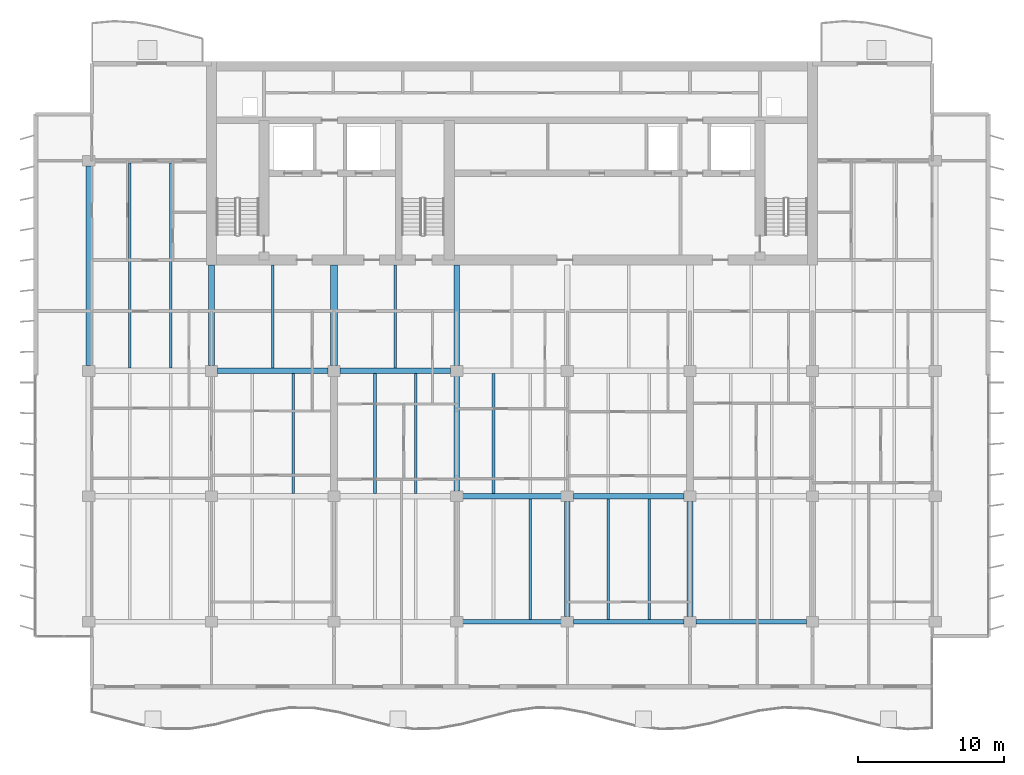
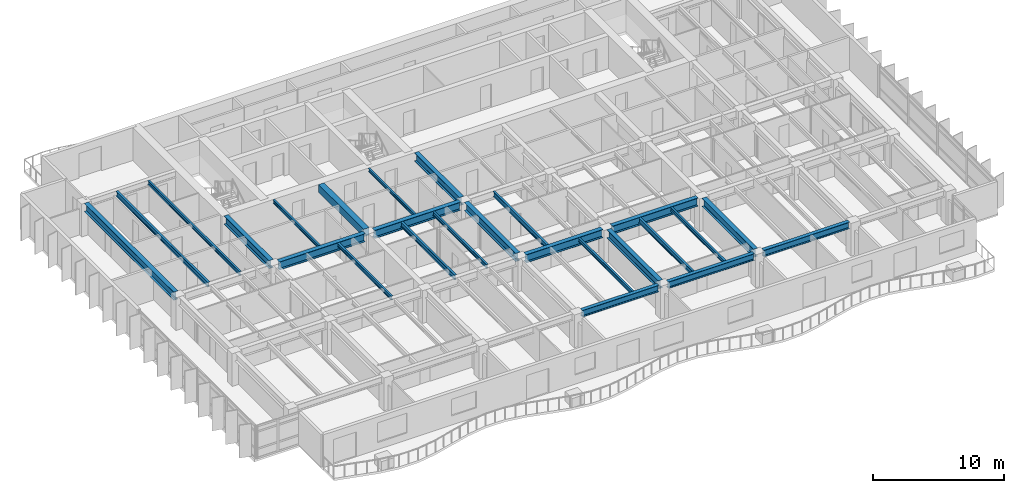
# One storey, part 3 of 19: 25 beams.
"""IFC4 building model written with IfcOpenShell, lengths in metres."""

from ifc_helpers import new_model, si_unit, direction, frame, origin, origin_2d, place, context, subcontext, project, spatial, rectangle, i_section, extrude, material, material_profile, profile_set, type_object, element, save


model = new_model("IFC4")

# Units and contexts
model_context = context("Model", 3, precision=1e-05, world=origin(), true_north=direction((0.0, 1.0)))
body_context = subcontext(model_context, "Body", "Model", "MODEL_VIEW")
ifc_project = project(units=[si_unit("LENGTHUNIT", "METRE"), si_unit("AREAUNIT", "SQUARE_METRE"), si_unit("VOLUMEUNIT", "CUBIC_METRE"), si_unit("PLANEANGLEUNIT", "RADIAN"), si_unit("MASSUNIT", "GRAM", prefix="KILO")], contexts=[model_context])

# Site, building, storey
site_placement = place(None, origin())
site = spatial("IfcSite", under=ifc_project, at=site_placement, CompositionType="ELEMENT")
building_placement = place(site_placement, origin())
building = spatial("IfcBuilding", under=site, at=building_placement, Name="Caelmar Bay Residences", CompositionType="ELEMENT")
storey_placement = place(building_placement, frame((0.0, 0.0, 188.39990234375)))
storey = spatial("IfcBuildingStorey", under=building, at=storey_placement, Name="L52", CompositionType="ELEMENT", Elevation=188.39990234375)

# Beams
ifc_material_1 = material(Name="Steel ASTM A992 Grade 50", Category="steel")
ifc_material_profile_1 = material_profile(ifc_material_1, i_section(OverallWidth=0.381103515625, OverallDepth=0.77197265625, WebThickness=0.0166015625, FlangeThickness=0.027099609375, FilletRadius=0.0166015625, at=origin_2d()), Name="W30X173")
ifc_profile_set_1 = profile_set([ifc_material_profile_1], Name="Steel ASTM A992 Grade 50")
beam_type_1 = type_object("IfcBeamType", Name="BM-GRD-W30X173", PredefinedType="BEAM", material=ifc_profile_set_1)
beam_1_placement = place(storey_placement, frame((35.514892578125, 20.800048828125, 2.6640625), z_axis=(1.0, 0.0, 0.0), x_axis=(0.0, 1.0, 0.0)))
element("IfcBeam", 1, at=beam_1_placement, inside=storey, type_object=beam_type_1, Name="L52 East-West Girder Y=20.80 (35.1-42.7)", PredefinedType="BEAM", context=body_context, shape_type="SweptSolid", body=[
    extrude(i_section(OverallWidth=0.381103515625, OverallDepth=0.77197265625, WebThickness=0.0166015625, FlangeThickness=0.027099609375, FilletRadius=0.0166015625, at=origin_2d()), origin(), (0.0, 0.0, 1.0), 6.77001953125),
])
beam_2_placement = place(storey_placement, frame((43.114990234375, 20.800048828125, 2.6640625), z_axis=(1.0, 0.0, 0.0), x_axis=(0.0, 1.0, 0.0)))
element("IfcBeam", 2, at=beam_2_placement, inside=storey, type_object=beam_type_1, Name="L52 East-West Girder Y=20.80 (42.7-51.1)", PredefinedType="BEAM", context=body_context, shape_type="SweptSolid", body=[
    extrude(i_section(OverallWidth=0.381103515625, OverallDepth=0.77197265625, WebThickness=0.0166015625, FlangeThickness=0.027099609375, FilletRadius=0.0166015625, at=origin_2d()), origin(), (0.0, 0.0, 1.0), 7.570068359375),
])
beam_3_placement = place(storey_placement, frame((18.715087890625, 29.39990234375, 2.6640625), z_axis=(1.0, 0.0, 0.0), x_axis=(0.0, 1.0, 0.0)))
element("IfcBeam", 3, at=beam_3_placement, inside=storey, type_object=beam_type_1, Name="L52 East-West Girder Y=29.40 (18.3-26.7)", PredefinedType="BEAM", context=body_context, shape_type="SweptSolid", body=[
    extrude(i_section(OverallWidth=0.381103515625, OverallDepth=0.77197265625, WebThickness=0.0166015625, FlangeThickness=0.027099609375, FilletRadius=0.0166015625, at=origin_2d()), origin(), (0.0, 0.0, 1.0), 7.56982421875),
])
beam_4_placement = place(storey_placement, frame((27.114990234375, 29.39990234375, 2.6640625), z_axis=(1.0, 0.0, 0.0), x_axis=(0.0, 1.0, 0.0)))
element("IfcBeam", 4, at=beam_4_placement, inside=storey, type_object=beam_type_1, Name="L52 East-West Girder Y=29.40 (26.7-35.1)", PredefinedType="BEAM", context=body_context, shape_type="SweptSolid", body=[
    extrude(i_section(OverallWidth=0.381103515625, OverallDepth=0.77197265625, WebThickness=0.0166015625, FlangeThickness=0.027099609375, FilletRadius=0.0166015625, at=origin_2d()), origin(), (0.0, 0.0, 1.0), 7.570068359375),
])
beam_5_placement = place(storey_placement, frame((9.89990234375, 29.764892578125, 2.6640625), z_axis=(0.0, 1.0, 0.0), x_axis=(-1.0, 0.0, 0.0)))
element("IfcBeam", 5, at=beam_5_placement, inside=storey, type_object=beam_type_1, Name="L52 North-South Girder X=9.90 (29.4-43.8)", PredefinedType="BEAM", context=body_context, shape_type="SweptSolid", body=[
    extrude(i_section(OverallWidth=0.381103515625, OverallDepth=0.77197265625, WebThickness=0.0166015625, FlangeThickness=0.027099609375, FilletRadius=0.0166015625, at=origin_2d()), origin(), (0.0, 0.0, 1.0), 13.670166015625),
])
for number, where, z_axis, x_axis, name in (
    (6, (18.300048828125, 29.764892578125, 2.6640625), (0.0, 1.0, 0.0), (-1.0, 0.0, 0.0), "L52 Core Tie Girder X=18.30"),
    (7, (35.10009765625, 29.764892578125, 2.6640625), (0.0, 1.0, 0.0), (-1.0, 0.0, 0.0), "L52 Core Tie Girder X=35.10"),
):
    element("IfcBeam", number, at=place(storey_placement, frame(where, z_axis=z_axis, x_axis=x_axis)), inside=storey, type_object=beam_type_1, Name=name, PredefinedType="BEAM", context=body_context, shape_type="SweptSolid", body=[
        extrude(i_section(OverallWidth=0.381103515625, OverallDepth=0.77197265625, WebThickness=0.0166015625, FlangeThickness=0.027099609375, FilletRadius=0.0166015625, at=origin_2d()), origin(), (0.0, 0.0, 1.0), 6.885009765625),
    ])
beam_6_placement = place(storey_placement, frame((35.10009765625, 21.1650390625, 2.6640625), z_axis=(0.0, 1.0, 0.0), x_axis=(-1.0, 0.0, 0.0)))
element("IfcBeam", 8, at=beam_6_placement, inside=storey, type_object=beam_type_1, Name="L52 North-South Girder X=35.10 (20.8-29.4)", PredefinedType="BEAM", context=body_context, shape_type="SweptSolid", body=[
    extrude(i_section(OverallWidth=0.381103515625, OverallDepth=0.77197265625, WebThickness=0.0166015625, FlangeThickness=0.027099609375, FilletRadius=0.0166015625, at=origin_2d()), origin(), (0.0, 0.0, 1.0), 7.869873046875),
])
for number, where, z_axis, x_axis, name in (
    (9, (42.699951171875, 12.56494140625, 2.6640625), (0.0, 1.0, 0.0), (-1.0, 0.0, 0.0), "L52 North-South Girder X=42.70 (12.2-20.8)"),
    (10, (51.10009765625, 12.56494140625, 2.6640625), (0.0, 1.0, 0.0), (-1.0, 0.0, 0.0), "L52 North-South Girder X=51.10 (12.2-20.8)"),
):
    element("IfcBeam", number, at=place(storey_placement, frame(where, z_axis=z_axis, x_axis=x_axis)), inside=storey, type_object=beam_type_1, Name=name, PredefinedType="BEAM", context=body_context, shape_type="SweptSolid", body=[
        extrude(i_section(OverallWidth=0.381103515625, OverallDepth=0.77197265625, WebThickness=0.0166015625, FlangeThickness=0.027099609375, FilletRadius=0.0166015625, at=origin_2d()), origin(), (0.0, 0.0, 1.0), 7.8701171875),
    ])
ifc_material_profile_2 = material_profile(ifc_material_1, i_section(OverallWidth=0.1650390625, OverallDepth=0.31005859375, WebThickness=0.005859375, FlangeThickness=0.009765625, FilletRadius=0.007568359375, at=origin_2d()), Name="W12X26")
ifc_profile_set_2 = profile_set([ifc_material_profile_2], Name="Steel ASTM A992 Grade 50")
beam_type_2 = type_object("IfcBeamType", Name="BM-JST-W12X26", PredefinedType="JOIST", material=ifc_profile_set_2)
for number, where, z_axis, x_axis, name in (
    (11, (22.5, 29.590576171875, 2.89501953125), (0.0, 1.0, 0.0), (-1.0, 0.0, 0.0), "L52 Core-Band Composite Joist 29"),
    (12, (30.89990234375, 29.590576171875, 2.89501953125), (0.0, 1.0, 0.0), (-1.0, 0.0, 0.0), "L52 Core-Band Composite Joist 30"),
):
    element("IfcBeam", number, at=place(storey_placement, frame(where, z_axis=z_axis, x_axis=x_axis)), inside=storey, type_object=beam_type_2, Name=name, PredefinedType="JOIST", context=body_context, shape_type="SweptSolid", body=[
        extrude(i_section(OverallWidth=0.1650390625, OverallDepth=0.31005859375, WebThickness=0.005859375, FlangeThickness=0.009765625, FilletRadius=0.007568359375, at=origin_2d()), origin(), (0.0, 0.0, 1.0), 7.059326171875),
    ])
ifc_material_profile_3 = material_profile(ifc_material_1, i_section(OverallWidth=0.1708984375, OverallDepth=0.35595703125, WebThickness=0.007080078125, FlangeThickness=0.01171875, FilletRadius=0.007568359375, at=origin_2d()), Name="W14X34")
ifc_profile_set_3 = profile_set([ifc_material_profile_3], Name="Steel ASTM A992 Grade 50")
beam_type_3 = type_object("IfcBeamType", Name="BM-JST-W14X34", PredefinedType="JOIST", material=ifc_profile_set_3)
for number, where, z_axis, x_axis, name in (
    (13, (40.166748046875, 12.362548828125, 2.8720703125), (0.0, 1.0, 0.0), (-1.0, 0.0, 0.0), "L52 Composite Floor Joist 8"),
    (14, (48.300048828125, 12.362548828125, 2.8720703125), (0.0, 1.0, 0.0), (-1.0, 0.0, 0.0), "L52 Composite Floor Joist 10"),
):
    element("IfcBeam", number, at=place(storey_placement, frame(where, z_axis=z_axis, x_axis=x_axis)), inside=storey, type_object=beam_type_3, Name=name, PredefinedType="JOIST", context=body_context, shape_type="SweptSolid", body=[
        extrude(i_section(OverallWidth=0.1708984375, OverallDepth=0.35595703125, WebThickness=0.007080078125, FlangeThickness=0.01171875, FilletRadius=0.007568359375, at=origin_2d()), origin(), (0.0, 0.0, 1.0), 8.2470703125),
    ])
for number, where, z_axis, x_axis, name in (
    (15, (23.89990234375, 20.990478515625, 2.8720703125), (0.0, 1.0, 0.0), (-1.0, 0.0, 0.0), "L52 Composite Floor Joist 18"),
    (16, (32.300048828125, 20.990478515625, 2.8720703125), (0.0, 1.0, 0.0), (-1.0, 0.0, 0.0), "L52 Composite Floor Joist 20"),
):
    element("IfcBeam", number, at=place(storey_placement, frame(where, z_axis=z_axis, x_axis=x_axis)), inside=storey, type_object=beam_type_3, Name=name, PredefinedType="JOIST", context=body_context, shape_type="SweptSolid", body=[
        extrude(i_section(OverallWidth=0.1708984375, OverallDepth=0.35595703125, WebThickness=0.007080078125, FlangeThickness=0.01171875, FilletRadius=0.007568359375, at=origin_2d()), origin(), (0.0, 0.0, 1.0), 8.218994140625),
    ])
beam_7_placement = place(storey_placement, frame((15.5, 29.590576171875, 2.8720703125), z_axis=(0.0, 1.0, 0.0), x_axis=(-1.0, 0.0, 0.0)))
element("IfcBeam", 17, at=beam_7_placement, inside=storey, type_object=beam_type_3, Name="L52 Composite Floor Joist 35", PredefinedType="JOIST", context=body_context, shape_type="SweptSolid", body=[
    extrude(i_section(OverallWidth=0.1708984375, OverallDepth=0.35595703125, WebThickness=0.007080078125, FlangeThickness=0.01171875, FilletRadius=0.007568359375, at=origin_2d()), origin(), (0.0, 0.0, 1.0), 14.046875),
])
ifc_material_profile_4 = material_profile(ifc_material_1, i_section(OverallWidth=0.19091796875, OverallDepth=0.45703125, WebThickness=0.009033203125, FlangeThickness=0.014404296875, FilletRadius=0.01025390625, at=origin_2d()), Name="W18X50")
ifc_profile_set_4 = profile_set([ifc_material_profile_4], Name="Steel ASTM A992 Grade 50")
beam_type_4 = type_object("IfcBeamType", Name="BM-JST-W18X50", PredefinedType="JOIST", material=ifc_profile_set_4)
beam_8_placement = place(storey_placement, frame((45.5, 12.362548828125, 2.821533203125), z_axis=(0.0, 1.0, 0.0), x_axis=(-1.0, 0.0, 0.0)))
element("IfcBeam", 18, at=beam_8_placement, inside=storey, type_object=beam_type_4, Name="L52 Composite Floor Joist 9", PredefinedType="JOIST", context=body_context, shape_type="SweptSolid", body=[
    extrude(i_section(OverallWidth=0.19091796875, OverallDepth=0.45703125, WebThickness=0.009033203125, FlangeThickness=0.014404296875, FilletRadius=0.01025390625, at=origin_2d()), origin(), (0.0, 0.0, 1.0), 8.2470703125),
])
for number, where, z_axis, x_axis, name in (
    (19, (29.5, 20.990478515625, 2.821533203125), (0.0, 1.0, 0.0), (-1.0, 0.0, 0.0), "L52 Composite Floor Joist 19"),
    (20, (37.63330078125, 20.990478515625, 2.821533203125), (0.0, 1.0, 0.0), (-1.0, 0.0, 0.0), "L52 Composite Floor Joist 21"),
):
    element("IfcBeam", number, at=place(storey_placement, frame(where, z_axis=z_axis, x_axis=x_axis)), inside=storey, type_object=beam_type_4, Name=name, PredefinedType="JOIST", context=body_context, shape_type="SweptSolid", body=[
        extrude(i_section(OverallWidth=0.19091796875, OverallDepth=0.45703125, WebThickness=0.009033203125, FlangeThickness=0.014404296875, FilletRadius=0.01025390625, at=origin_2d()), origin(), (0.0, 0.0, 1.0), 8.218994140625),
    ])
beam_9_placement = place(storey_placement, frame((12.699951171875, 29.590576171875, 2.821533203125), z_axis=(0.0, 1.0, 0.0), x_axis=(-1.0, 0.0, 0.0)))
element("IfcBeam", 21, at=beam_9_placement, inside=storey, type_object=beam_type_4, Name="L52 Composite Floor Joist 34", PredefinedType="JOIST", context=body_context, shape_type="SweptSolid", body=[
    extrude(i_section(OverallWidth=0.19091796875, OverallDepth=0.45703125, WebThickness=0.009033203125, FlangeThickness=0.014404296875, FilletRadius=0.01025390625, at=origin_2d()), origin(), (0.0, 0.0, 1.0), 14.046875),
])
ifc_material_2 = material(Name="Concrete f'c 55 MPa (8,000 psi)", Category="concrete")
ifc_material_profile_5 = material_profile(ifc_material_2, rectangle(XDim=0.5, YDim=0.699951171875, at=origin_2d()), Name="RC-BM-500X700")
ifc_profile_set_5 = profile_set([ifc_material_profile_5], Name="Concrete f'c 55 MPa (8,000 psi)")
beam_type_5 = type_object("IfcBeamType", Name="BM-RC-500X700", PredefinedType="LINTEL", material=ifc_profile_set_5)
beam_10_placement = place(storey_placement, frame((26.699951171875, 29.764892578125, 2.7001953125), z_axis=(0.0, 1.0, 0.0), x_axis=(-1.0, 0.0, 0.0)))
element("IfcBeam", 22, at=beam_10_placement, inside=storey, type_object=beam_type_5, Name="L52 Shear-Wall Corridor Coupling Lintel W5", PredefinedType="LINTEL", context=body_context, shape_type="SweptSolid", body=[
    extrude(rectangle(XDim=0.5, YDim=0.699951171875, at=origin_2d()), origin(), (0.0, 0.0, 1.0), 6.885009765625),
])
ifc_material_profile_6 = material_profile(ifc_material_1, i_section(OverallWidth=0.324951171875, OverallDepth=0.616943359375, WebThickness=0.013916015625, FlangeThickness=0.021484375, FilletRadius=0.0126953125, at=origin_2d()), Name="W24X117")
ifc_profile_set_6 = profile_set([ifc_material_profile_6], Name="Steel ASTM A992 Grade 50")
beam_type_6 = type_object("IfcBeamType", Name="BM-SPN-W24X117", PredefinedType="SPANDREL", material=ifc_profile_set_6)
beam_11_placement = place(storey_placement, frame((35.514892578125, 12.199951171875, 2.74169921875), z_axis=(1.0, 0.0, 0.0), x_axis=(0.0, 1.0, 0.0)))
element("IfcBeam", 23, at=beam_11_placement, inside=storey, type_object=beam_type_6, Name="L52 East-West Girder Y=12.20 (35.1-42.7)", PredefinedType="SPANDREL", context=body_context, shape_type="SweptSolid", body=[
    extrude(i_section(OverallWidth=0.324951171875, OverallDepth=0.616943359375, WebThickness=0.013916015625, FlangeThickness=0.021484375, FilletRadius=0.0126953125, at=origin_2d()), origin(), (0.0, 0.0, 1.0), 6.77001953125),
])
for number, where, z_axis, x_axis, name in (
    (24, (43.114990234375, 12.199951171875, 2.74169921875), (1.0, 0.0, 0.0), (0.0, 1.0, 0.0), "L52 East-West Girder Y=12.20 (42.7-51.1)"),
    (25, (51.514892578125, 12.199951171875, 2.74169921875), (1.0, 0.0, 0.0), (0.0, 1.0, 0.0), "L52 East-West Girder Y=12.20 (51.1-59.5)"),
):
    element("IfcBeam", number, at=place(storey_placement, frame(where, z_axis=z_axis, x_axis=x_axis)), inside=storey, type_object=beam_type_6, Name=name, PredefinedType="SPANDREL", context=body_context, shape_type="SweptSolid", body=[
        extrude(i_section(OverallWidth=0.324951171875, OverallDepth=0.616943359375, WebThickness=0.013916015625, FlangeThickness=0.021484375, FilletRadius=0.0126953125, at=origin_2d()), origin(), (0.0, 0.0, 1.0), 7.570068359375),
    ])

save(model, "model.ifc")
